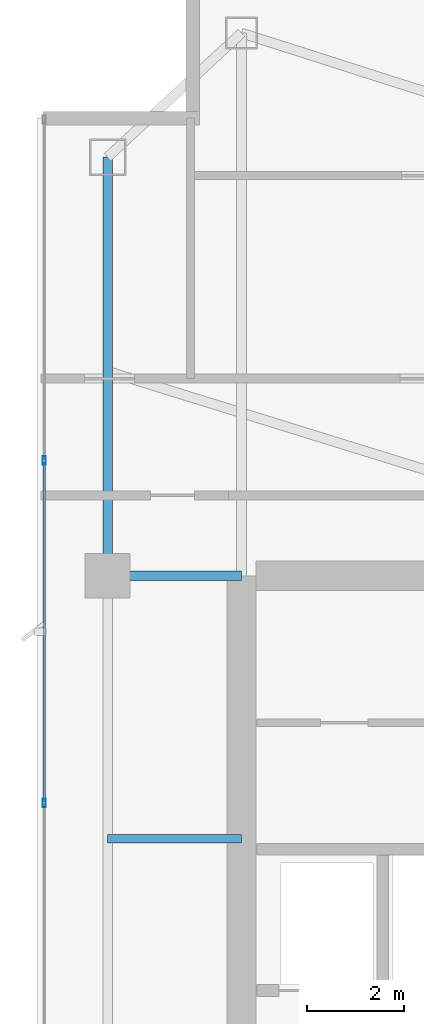
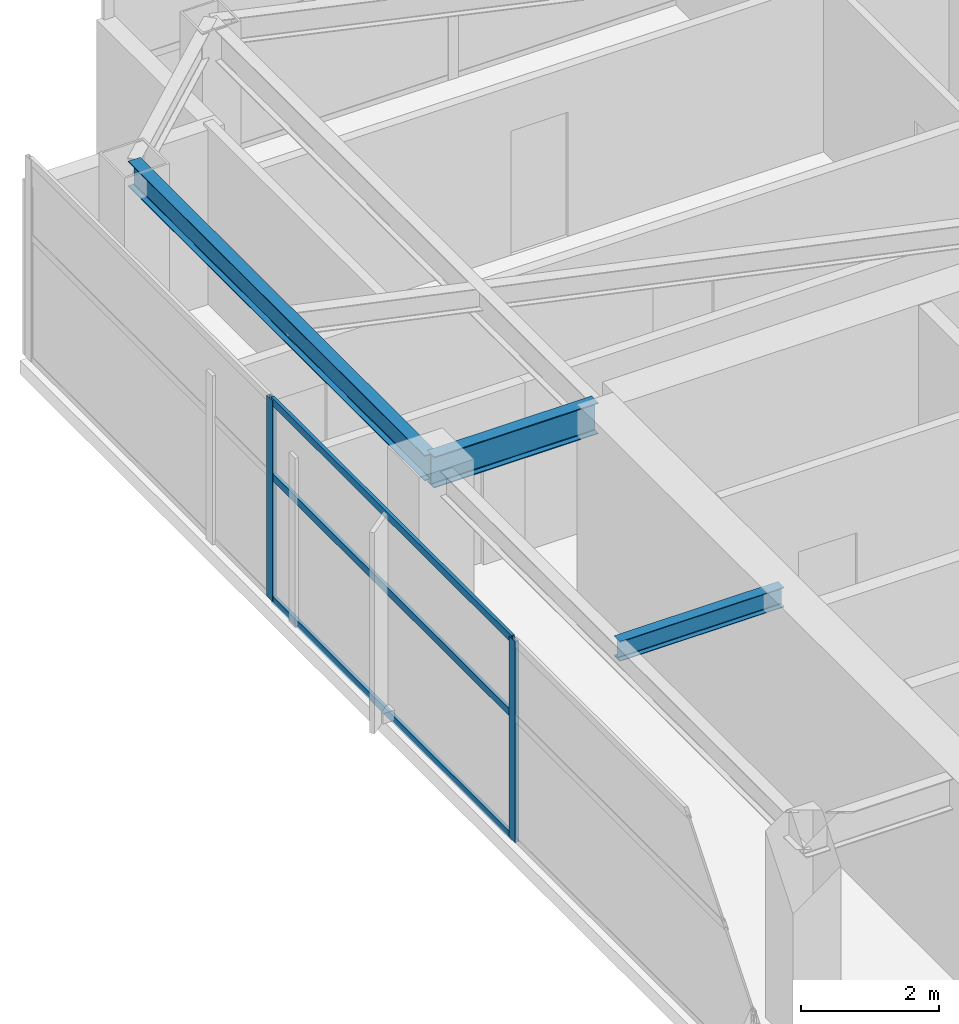
# One storey, part 16 of 28: 5 members, 3 beams, 1 element without a shape of its own.
"""IFC4 building model written with IfcOpenShell, lengths in metres."""

import ifcopenshell
import ifcopenshell.guid

model = None  # the IFC model being written
_history = None  # IfcOwnerHistory: only IFC2X3 demands one
_inside = {}  # id of a spatial element -> (the spatial element, [elements in it])
_under = {}  # id of a project, library or spatial element -> (it, [spatial elements below it])
_declared = {}  # id of a project -> (the project, [libraries it declares])
_typed = {}  # id of a type object -> (the type object, [elements of that type])
_made_of = {}  # id of a material, layer set ... -> (it, [elements and type objects made of it])


def new_model(schema):
    """Start an empty IFC model of exactly this schema.

    Asked for "IFC4X3", IfcOpenShell would pick the latest addendum, in which some entities
    have other attributes; the version numbers below select the first issue.
    IFC2X3 requires an IfcOwnerHistory on every rooted entity: one is made here for all.
    """
    global model, _history
    if schema == "IFC4X3":
        model = ifcopenshell.file(schema_version=(4, 3, 0, 0))
    else:
        model = ifcopenshell.file(schema=schema)
    _inside.clear()
    _under.clear()
    _declared.clear()
    _typed.clear()
    _made_of.clear()
    _history = None
    if model.schema == "IFC2X3":
        org = make("IfcOrganization", Name="unknown")
        user = make(
            "IfcPersonAndOrganization",
            ThePerson=make("IfcPerson", FamilyName="unknown"),
            TheOrganization=org,
        )
        app = make(
            "IfcApplication",
            ApplicationDeveloper=org,
            Version="unknown",
            ApplicationFullName="unknown",
            ApplicationIdentifier="unknown",
        )
        _history = make(
            "IfcOwnerHistory",
            OwningUser=user,
            OwningApplication=app,
            ChangeAction="ADDED",
            CreationDate=0,
        )
    return model


def make(cls, **values):
    """One entity of the class cls with the attributes given. An attribute that is None is left unset."""
    return model.create_entity(
        cls, **{name: value for name, value in values.items() if value is not None}
    )


def rooted(cls, **values):
    """An entity with a GlobalId (a new one), such as an element, a storey or a relation."""
    return make(cls, GlobalId=ifcopenshell.guid.new(), OwnerHistory=_history, **values)


def si_unit(unit_type, name, prefix=None):
    """IfcSIUnit, for example si_unit("LENGTHUNIT", "METRE", prefix="MILLI")."""
    return make("IfcSIUnit", UnitType=unit_type, Prefix=prefix, Name=name)


def assignment(units):
    """IfcUnitAssignment: the units of a project."""
    return None if units is None else make("IfcUnitAssignment", Units=units)


def point(xyz):
    """IfcCartesianPoint."""
    return None if xyz is None else make("IfcCartesianPoint", Coordinates=xyz)


def direction(xyz):
    """IfcDirection."""
    return None if xyz is None else make("IfcDirection", DirectionRatios=xyz)


def frame(location, z_axis=None, x_axis=None):
    """IfcAxis2Placement3D, a coordinate frame: its origin and axes. An axis left out is left unset."""
    return make(
        "IfcAxis2Placement3D",
        Location=point(location),
        Axis=direction(z_axis),
        RefDirection=direction(x_axis),
    )


def frame_2d(location, x_axis=None):
    """IfcAxis2Placement2D, a coordinate frame in the plane: its origin and x axis."""
    return make(
        "IfcAxis2Placement2D", Location=point(location), RefDirection=direction(x_axis)
    )


def origin():
    """The frame at (0, 0, 0) with its axes left unset."""
    return frame((0.0, 0.0, 0.0))


def origin_2d():
    """The frame at (0, 0) in the plane with its x axis left unset."""
    return frame_2d((0.0, 0.0))


def place(relative_to, where):
    """IfcLocalPlacement: puts the frame where relative to a parent placement (None: the world)."""
    return make(
        "IfcLocalPlacement", PlacementRelTo=relative_to, RelativePlacement=where
    )


def context(
    kind, dimensions, precision=None, world=None, true_north=None, identifier=None
):
    """IfcGeometricRepresentationContext, for example the 3D "Model" context."""
    return make(
        "IfcGeometricRepresentationContext",
        ContextIdentifier=identifier,
        ContextType=kind,
        CoordinateSpaceDimension=dimensions,
        Precision=precision,
        WorldCoordinateSystem=world,
        TrueNorth=true_north,
    )


def subcontext(parent, identifier, kind, view, scale=None):
    """IfcGeometricRepresentationSubContext, for example "Body" below "Model"."""
    return make(
        "IfcGeometricRepresentationSubContext",
        ContextIdentifier=identifier,
        ContextType=kind,
        ParentContext=parent,
        TargetScale=scale,
        TargetView=view,
    )


def project(units=None, contexts=None):
    """IfcProject with its units and contexts."""
    return rooted(
        "IfcProject",
        Name="project",
        RepresentationContexts=contexts,
        UnitsInContext=assignment(units),
    )


def spatial(cls, under=None, at=None, **own):
    """A site, building, storey or space (cls), placed at a placement, below another one or the project."""
    s = rooted(cls, ObjectPlacement=at, **own)
    if under is not None:
        _under.setdefault(under.id(), (under, []))[1].append(s)
    return s


def profile(cls, at=None, kind="AREA", **sizes):
    """A parametric profile (cls). Its sizes go by their IFC names, for example OverallWidth=200.0."""
    return make(cls, ProfileType=kind, Position=at, **sizes)


def hollow_rectangle(**sizes):
    """IfcRectangleHollowProfileDef."""
    return profile("IfcRectangleHollowProfileDef", **sizes)


def i_section(**sizes):
    """IfcIShapeProfileDef."""
    return profile("IfcIShapeProfileDef", **sizes)


def extrude(swept, where, along, depth):
    """IfcExtrudedAreaSolid: the profile swept, set in the frame where, extruded along a direction by depth."""
    return make(
        "IfcExtrudedAreaSolid",
        SweptArea=swept,
        Position=where,
        ExtrudedDirection=direction(along),
        Depth=depth,
    )


def shape(context_of_items, identifier, shape_type, items):
    """IfcShapeRepresentation: the items that make up one representation, for example the "Body"."""
    return make(
        "IfcShapeRepresentation",
        ContextOfItems=context_of_items,
        RepresentationIdentifier=identifier,
        RepresentationType=shape_type,
        Items=items,
    )


def material(Name=None, Category=None):
    """IfcMaterial."""
    return make("IfcMaterial", Name=Name, Category=Category)


def layer(
    of_material, thickness, ventilated=None, Name=None, Category=None, Priority=None
):
    """IfcMaterialLayer: one layer of a wall or slab, of a material (None: an air gap)."""
    return make(
        "IfcMaterialLayer",
        Material=of_material,
        LayerThickness=thickness,
        IsVentilated=ventilated,
        Name=Name,
        Category=Category,
        Priority=Priority,
    )


def layer_set(layers, Name=None):
    """IfcMaterialLayerSet."""
    return make("IfcMaterialLayerSet", MaterialLayers=layers, LayerSetName=Name)


def material_profile(
    of_material, cross_section, Name=None, Category=None, Priority=None
):
    """IfcMaterialProfile: a cross section and its material."""
    return make(
        "IfcMaterialProfile",
        Name=Name,
        Material=of_material,
        Profile=cross_section,
        Priority=Priority,
        Category=Category,
    )


def profile_set(profiles, Name=None, composite=None):
    """IfcMaterialProfileSet."""
    return make(
        "IfcMaterialProfileSet",
        Name=Name,
        MaterialProfiles=profiles,
        CompositeProfile=composite,
    )


def made_of(thing, what):
    """Note that an element or type object is made of a material, layer set ...; save() writes the relation."""
    if what is not None:
        _made_of.setdefault(what.id(), (what, []))[1].append(thing)
    return thing


def type_object(cls, material=None, **own):
    """A type object (cls), such as IfcWallType, which elements share."""
    return made_of(rooted(cls, **own), material)


def element(
    cls,
    number,
    at=None,
    inside=None,
    cuts=None,
    type_object=None,
    material=None,
    context=None,
    identifier="Body",
    shape_type=None,
    held_by="IfcProductDefinitionShape",
    body=None,
    shapes=None,
    **own,
):
    """One element of the class cls, such as IfcWall. Its Tag is "e" and its number.

    at: its placement. inside: the storey or other place that contains it. cuts: it is an
    opening in that element (IfcRelVoidsElement). A single representation is given by context,
    identifier, shape_type and body (its items); several are given by shapes. held_by: the class
    of the entity that holds the representations. save() writes the other relations.
    """
    e = rooted(cls, Tag="e%d" % number, ObjectPlacement=at, **own)
    if body is not None:
        shapes = [shape(context, identifier, shape_type, body)]
    if shapes is not None:
        e.Representation = make(held_by, Representations=shapes)
    if inside is not None:
        _inside.setdefault(inside.id(), (inside, []))[1].append(e)
    if cuts is not None:
        rooted(
            "IfcRelVoidsElement", RelatingBuildingElement=cuts, RelatedOpeningElement=e
        )
    if type_object is not None:
        _typed.setdefault(type_object.id(), (type_object, []))[1].append(e)
    return made_of(e, material)


def aggregate(whole, parts):
    """IfcRelAggregates: a whole, such as a stair, and the parts it consists of."""
    return rooted("IfcRelAggregates", RelatingObject=whole, RelatedObjects=parts)


def save(model, path):
    """Write the relations noted so far, then the file.

    IfcRelAggregates (storeys below a building ...), IfcRelContainedInSpatialStructure (elements
    in a storey), IfcRelDefinesByType, IfcRelAssociatesMaterial and IfcRelDeclares: one each for
    every whole, place, type object, material and project.
    """
    for whole, parts in _under.values():
        aggregate(whole, parts)
    for where, things in _inside.values():
        rooted(
            "IfcRelContainedInSpatialStructure",
            RelatedElements=things,
            RelatingStructure=where,
        )
    for kind, things in _typed.values():
        rooted("IfcRelDefinesByType", RelatedObjects=things, RelatingType=kind)
    for what, things in _made_of.values():
        rooted("IfcRelAssociatesMaterial", RelatedObjects=things, RelatingMaterial=what)
    for by, libraries in _declared.values():
        rooted("IfcRelDeclares", RelatingContext=by, RelatedDefinitions=libraries)
    model.write(path)


model = new_model("IFC4")

# Units and contexts
model_context = context("Model", 3, precision=1e-05, world=origin(), true_north=direction((0.0, 1.0)))
body_context = subcontext(model_context, "Body", "Model", "MODEL_VIEW")
ifc_project = project(units=[si_unit("LENGTHUNIT", "METRE"), si_unit("AREAUNIT", "SQUARE_METRE"), si_unit("VOLUMEUNIT", "CUBIC_METRE"), si_unit("PLANEANGLEUNIT", "RADIAN"), si_unit("MASSUNIT", "GRAM", prefix="KILO")], contexts=[model_context])

# Site, building, storey
site_placement = place(None, origin())
site = spatial("IfcSite", under=ifc_project, at=site_placement, CompositionType="ELEMENT")
building_placement = place(site_placement, origin())
building = spatial("IfcBuilding", under=site, at=building_placement, Name="Calvorn Quay Hotel", CompositionType="ELEMENT")
storey_placement = place(building_placement, frame((0.0, 0.0, 274.89990234375)))
storey = spatial("IfcBuildingStorey", under=building, at=storey_placement, Name="L68", CompositionType="ELEMENT", Elevation=274.89990234375)

# Beams
ifc_material_1 = material(Name="Steel Q355B", Category="steel")
ifc_material_profile_1 = material_profile(ifc_material_1, i_section(OverallWidth=0.199951171875, OverallDepth=0.550048828125, WebThickness=0.010009765625, FlangeThickness=0.01611328125, FilletRadius=0.01806640625, at=origin_2d()), Name="HN550x200x10x16")
ifc_profile_set_1 = profile_set([ifc_material_profile_1], Name="Steel Q355B")
beam_type_1 = type_object("IfcBeamType", Name="BM-GIRD-UPP", PredefinedType="BEAM", material=ifc_profile_set_1)
beam_1_placement = place(storey_placement, frame((1.449951171875, 38.39990234375, 3.26513671875), z_axis=(1.0, 0.0, 0.0), x_axis=(0.0, 1.0, 0.0)))
element("IfcBeam", 1, at=beam_1_placement, inside=storey, type_object=beam_type_1, Name="Beam BG-L68-W3", PredefinedType="BEAM", context=body_context, shape_type="SweptSolid", body=[
    extrude(i_section(OverallWidth=0.199951171875, OverallDepth=0.550048828125, WebThickness=0.010009765625, FlangeThickness=0.01611328125, FilletRadius=0.01806640625, at=origin_2d()), origin(), (0.0, 0.0, 1.0), 2.75),
])
ifc_material_2 = material(Name="Steel Q355B", Category="steel")
ifc_material_profile_2 = material_profile(ifc_material_2, i_section(OverallWidth=0.175048828125, OverallDepth=0.35009765625, WebThickness=0.007080078125, FlangeThickness=0.010986328125, FilletRadius=0.013916015625, at=origin_2d()), Name="HN350x175x7x11")
ifc_profile_set_2 = profile_set([ifc_material_profile_2], Name="Steel Q355B")
beam_type_2 = type_object("IfcBeamType", Name="BM-JOIST-SEC", PredefinedType="JOIST", material=ifc_profile_set_2)
beam_2_placement = place(storey_placement, frame((1.449951171875, 33.0, 3.364990234375), z_axis=(1.0, 0.0, 0.0), x_axis=(0.0, 1.0, 0.0)))
element("IfcBeam", 2, at=beam_2_placement, inside=storey, type_object=beam_type_2, Name="Beam BJ-L68-W4", PredefinedType="JOIST", context=body_context, shape_type="SweptSolid", body=[
    extrude(i_section(OverallWidth=0.175048828125, OverallDepth=0.35009765625, WebThickness=0.007080078125, FlangeThickness=0.010986328125, FilletRadius=0.013916015625, at=origin_2d()), origin(), (0.0, 0.0, 1.0), 2.75),
])
ifc_material_3 = material(Name="Steel Q355B", Category="steel")
ifc_material_profile_3 = material_profile(ifc_material_3, i_section(OverallWidth=0.199951171875, OverallDepth=0.449951171875, WebThickness=0.009033203125, FlangeThickness=0.013916015625, FilletRadius=0.01611328125, at=origin_2d()), Name="HN450x200x9x14")
ifc_profile_set_3 = profile_set([ifc_material_profile_3], Name="Steel Q355B")
beam_type_3 = type_object("IfcBeamType", Name="BM-SPANDREL-Z3", PredefinedType="SPANDREL", material=ifc_profile_set_3)
beam_3_placement = place(storey_placement, frame((1.449951171875, 38.39990234375, 3.315185546875), z_axis=(0.0, 1.0, 0.0), x_axis=(-1.0, 0.0, 0.0)))
element("IfcBeam", 3, at=beam_3_placement, inside=storey, type_object=beam_type_3, Name="Beam BSP-L68-W4", PredefinedType="SPANDREL", context=body_context, shape_type="SweptSolid", body=[
    extrude(i_section(OverallWidth=0.199951171875, OverallDepth=0.449951171875, WebThickness=0.009033203125, FlangeThickness=0.013916015625, FilletRadius=0.01611328125, at=origin_2d()), origin(), (0.0, 0.0, 1.0), 8.60009765625),
])

# Curtain wall, members
ifc_material_4 = material(Name="Champagne Bronze Anodised Aluminium and Low-E Glass", Category="aluminium")
ifc_layer = layer(ifc_material_4, 0.219970703125)
ifc_layer_set = layer_set([ifc_layer], Name="CW-SYS-Z4")
curtain_wall_type = type_object("IfcCurtainWallType", Name="CW-SYS-Z4", PredefinedType="NOTDEFINED", material=ifc_layer_set)
curtain_wall_placement = place(storey_placement, origin())
curtain_wall = element("IfcCurtainWall", 4, at=curtain_wall_placement, inside=storey, type_object=curtain_wall_type, Name="Tower West Curtain Wall (L68)", PredefinedType="NOTDEFINED")
ifc_material_5 = material(Name="Champagne Bronze Anodised Aluminium 6063-T6", Category="aluminium")
ifc_material_profile_4 = material_profile(ifc_material_5, hollow_rectangle(XDim=0.06494140625, YDim=0.169921875, WallThickness=0.00341796875, at=origin_2d()), Name="ALU-M170x65x3.5")
ifc_profile_set_4 = profile_set([ifc_material_profile_4], Name="Champagne Bronze Anodised Aluminium 6063-T6")
member_type_1 = type_object("IfcMemberType", Name="CW-SYS-Z4-MUL", PredefinedType="MULLION", material=ifc_profile_set_4)
member_1_placement = place(storey_placement, frame((0.14990234375, 33.7333984375, 0.0), z_axis=(0.0, 0.0, 1.0), x_axis=(-1.0, 0.0, 0.0)))
member_1 = element("IfcMember", 5, at=member_1_placement, type_object=member_type_1, Name="CW-L68-W mullion 5", PredefinedType="MULLION", context=body_context, shape_type="SweptSolid", body=[
    extrude(hollow_rectangle(XDim=0.06494140625, YDim=0.169921875, WallThickness=0.00341796875, at=origin_2d()), origin(), (0.0, 0.0, 1.0), 3.56005859375),
])
member_2_placement = place(storey_placement, frame((0.14990234375, 40.7666015625, 0.0), z_axis=(0.0, 0.0, 1.0), x_axis=(-1.0, 0.0, 0.0)))
member_2 = element("IfcMember", 6, at=member_2_placement, type_object=member_type_1, Name="CW-L68-W mullion 6", PredefinedType="MULLION", context=body_context, shape_type="SweptSolid", body=[
    extrude(hollow_rectangle(XDim=0.06494140625, YDim=0.169921875, WallThickness=0.00341796875, at=origin_2d()), origin(), (0.0, 0.0, 1.0), 3.56005859375),
])
ifc_material_6 = material(Name="Champagne Bronze Anodised Aluminium 6063-T6", Category="aluminium")
ifc_material_profile_5 = material_profile(ifc_material_6, hollow_rectangle(XDim=0.054931640625, YDim=0.1298828125, WallThickness=0.003173828125, at=origin_2d()), Name="ALU-T130x55x3.2")
ifc_profile_set_5 = profile_set([ifc_material_profile_5], Name="Champagne Bronze Anodised Aluminium 6063-T6")
member_type_2 = type_object("IfcMemberType", Name="CW-SYS-Z4-TRN", PredefinedType="USERDEFINED", material=ifc_profile_set_5)
member_3_placement = place(storey_placement, frame((0.14990234375, 33.763427734375, 0.030029296875), z_axis=(0.0, 1.0, 0.0), x_axis=(-1.0, 0.0, 0.0)))
member_3 = element("IfcMember", 7, at=member_3_placement, type_object=member_type_2, Name="CW-L68-W transom 5.1", ObjectType="TRANSOM", PredefinedType="USERDEFINED", context=body_context, shape_type="SweptSolid", body=[
    extrude(hollow_rectangle(XDim=0.054931640625, YDim=0.1298828125, WallThickness=0.003173828125, at=origin_2d()), origin(), (0.0, 0.0, 1.0), 6.97314453125),
])
member_4_placement = place(storey_placement, frame((0.14990234375, 33.763427734375, 2.2001953125), z_axis=(0.0, 1.0, 0.0), x_axis=(-1.0, 0.0, 0.0)))
member_4 = element("IfcMember", 8, at=member_4_placement, type_object=member_type_2, Name="CW-L68-W transom 5.2", ObjectType="TRANSOM", PredefinedType="USERDEFINED", context=body_context, shape_type="SweptSolid", body=[
    extrude(hollow_rectangle(XDim=0.054931640625, YDim=0.1298828125, WallThickness=0.003173828125, at=origin_2d()), origin(), (0.0, 0.0, 1.0), 6.97314453125),
])
member_5_placement = place(storey_placement, frame((0.14990234375, 33.763427734375, 3.530029296875), z_axis=(0.0, 1.0, 0.0), x_axis=(-1.0, 0.0, 0.0)))
member_5 = element("IfcMember", 9, at=member_5_placement, type_object=member_type_2, Name="CW-L68-W transom 5.3", ObjectType="TRANSOM", PredefinedType="USERDEFINED", context=body_context, shape_type="SweptSolid", body=[
    extrude(hollow_rectangle(XDim=0.054931640625, YDim=0.1298828125, WallThickness=0.003173828125, at=origin_2d()), origin(), (0.0, 0.0, 1.0), 6.97314453125),
])
aggregate(curtain_wall, [member_1, member_2, member_3, member_4, member_5])

save(model, "model.ifc")
